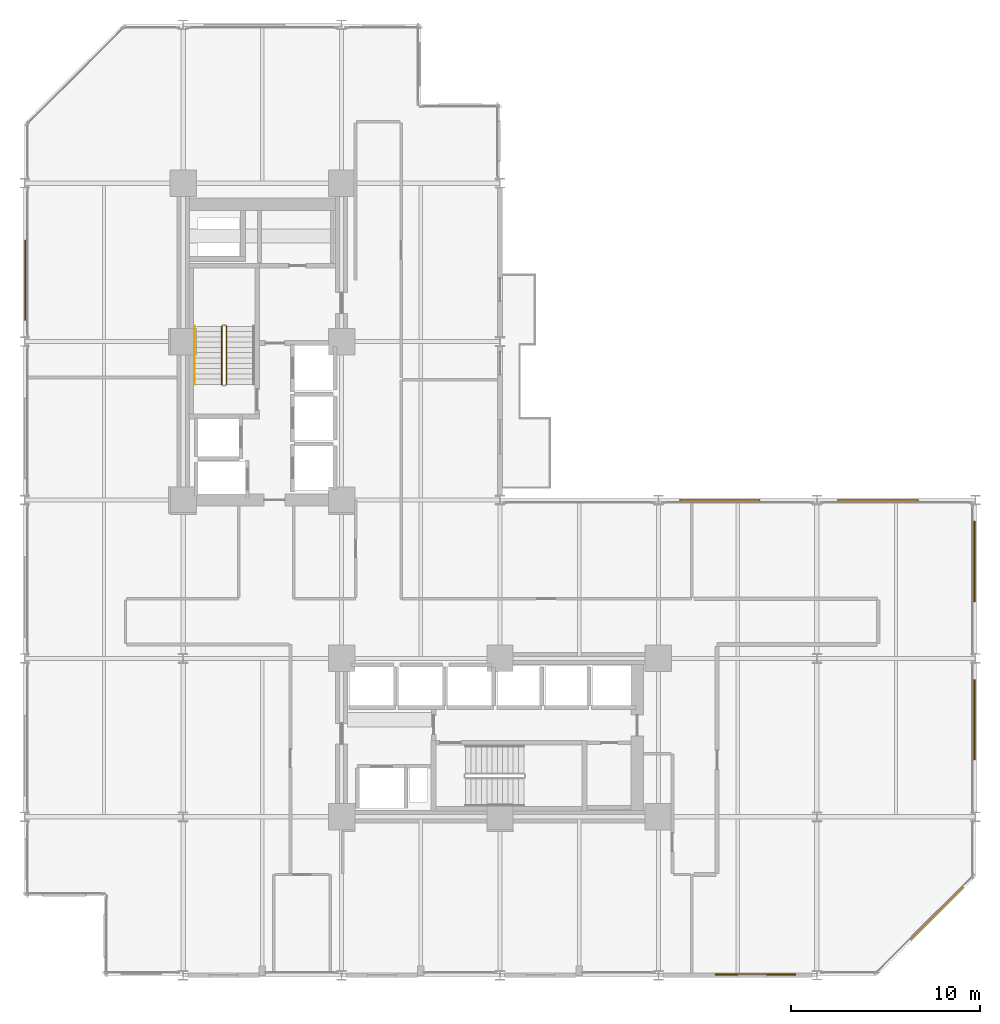
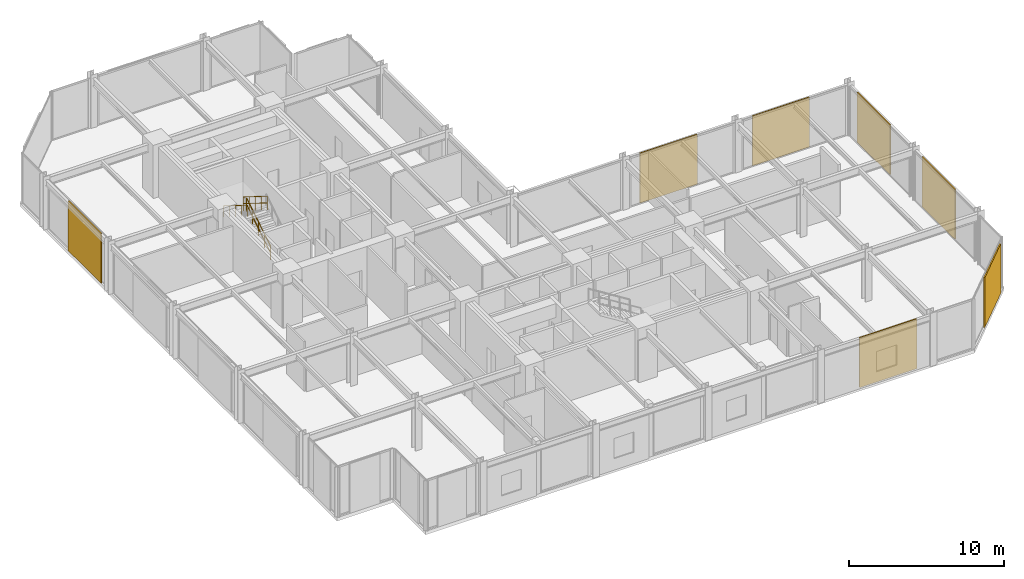
# One storey, part 23 of 24: 7 coverings, 3 railings.
"""IFC4 building model written with IfcOpenShell, lengths in metres."""

from ifc_helpers import new_model, si_unit, direction, frame, origin, origin_2d, place, context, subcontext, project, spatial, rectangle, circle, extrude, material, layer, layer_set, type_object, element, save


model = new_model("IFC4")

# Units and contexts
model_context = context("Model", 3, precision=1e-05, world=origin(), true_north=direction((0.0, 1.0)))
body_context = subcontext(model_context, "Body", "Model", "MODEL_VIEW")
ifc_project = project(units=[si_unit("LENGTHUNIT", "METRE"), si_unit("AREAUNIT", "SQUARE_METRE"), si_unit("VOLUMEUNIT", "CUBIC_METRE"), si_unit("PLANEANGLEUNIT", "RADIAN"), si_unit("MASSUNIT", "GRAM", prefix="KILO")], contexts=[model_context])

# Site, building, storey
site_placement = place(None, origin())
site = spatial("IfcSite", under=ifc_project, at=site_placement, CompositionType="ELEMENT")
building_placement = place(site_placement, origin())
building = spatial("IfcBuilding", under=site, at=building_placement, Name="Nerrivon Quay Data Exchange", CompositionType="ELEMENT")
storey_placement = place(building_placement, frame((0.0, 0.0, 33.199951171875)))
storey = spatial("IfcBuildingStorey", under=building, at=storey_placement, Name="L07", CompositionType="ELEMENT", Elevation=33.199951171875)

# Coverings
ifc_material_1 = material(Name="Architectural terracotta ceramic", Category="masonry")
ifc_layer = layer(ifc_material_1, 0.090087890625)
ifc_layer_set = layer_set([ifc_layer], Name="Architectural terracotta ceramic")
covering_type = type_object("IfcCoveringType", Name="COV-SCR-TERR", PredefinedType="CLADDING", material=ifc_layer_set)
covering_placement = place(storey_placement, frame((48.39208984375, 3.255859375, 0.0), z_axis=(0.0, 0.0, 1.0), x_axis=(-0.707106781187, -0.707106781187, 0.0)))
element("IfcCovering", 1, at=covering_placement, inside=storey, type_object=covering_type, Name="L07 Perforated Terracotta SOLAR SCREEN Cassette", PredefinedType="CLADDING", context=body_context, shape_type="SweptSolid", body=[
    extrude(rectangle(XDim=3.970947265625, YDim=0.090087890625, at=origin_2d()), origin(), (0.0, 0.0, 1.0), 3.925048828125),
])
for number, where, z_axis, x_axis, name in (
    (2, (38.748046875, 0.044921875, 0.0), (0.0, 0.0, 1.0), (-1.0, 0.0, 0.0), "L07 Perforated Terracotta SOLAR SCREEN Cassette"),
    (3, (0.044921875, 36.85205078125, 0.0), (0.0, 0.0, 1.0), (0.0, 1.0, 0.0), "L07 Perforated Terracotta SOLAR SCREEN Cassette"),
    (4, (36.85205078125, 25.155029296875, 0.0), (0.0, 0.0, 1.0), (1.0, 0.0, 0.0), "L07 Perforated Terracotta SOLAR SCREEN Cassette"),
    (5, (45.251953125, 25.155029296875, 0.0), (0.0, 0.0, 1.0), (1.0, 0.0, 0.0), "L07 Perforated Terracotta SOLAR SCREEN Cassette"),
    (6, (50.35498046875, 21.947998046875, 0.0), (0.0, 0.0, 1.0), (0.0, -1.0, 0.0), "L07 Perforated Terracotta SOLAR SCREEN Cassette"),
    (7, (50.35498046875, 13.548095703125, 0.0), (0.0, 0.0, 1.0), (0.0, -1.0, 0.0), "L07 Perforated Terracotta SOLAR SCREEN Cassette"),
):
    element("IfcCovering", number, at=place(storey_placement, frame(where, z_axis=z_axis, x_axis=x_axis)), inside=storey, type_object=covering_type, Name=name, PredefinedType="CLADDING", context=body_context, shape_type="SweptSolid", body=[
        extrude(rectangle(XDim=4.26611328125, YDim=0.090087890625, at=origin_2d()), origin(), (0.0, 0.0, 1.0), 3.925048828125),
    ])

# Railings
ifc_material_2 = material(Name="Steel Grade C350L0 (350 MPa)", Category="steel")
railing_type_1 = type_object("IfcRailingType", Name="RAIL-HAND-HR1", PredefinedType="HANDRAIL", material=ifc_material_2)
railing_1_placement = place(storey_placement, frame((9.0, 34.409912109375, 2.275146484375)))
element("IfcRailing", 8, at=railing_1_placement, inside=storey, type_object=railing_type_1, Name="L07 ST01 stair handrail 2", PredefinedType="HANDRAIL", context=body_context, shape_type="SweptSolid", body=[
    extrude(circle(Radius=0.02392578125, at=origin_2d()), frame((0.0, 0.0, 0.8759765625), z_axis=(0.0, -0.848009633417, 0.529980812513), x_axis=(1.0, 0.0, 0.0)), (0.0, 0.0, 1.0), 3.6318359375),
    extrude(circle(Radius=0.02099609375, at=origin_2d()), origin(), (0.0, 0.0, 1.0), 0.851806640625),
    extrude(circle(Radius=0.02099609375, at=origin_2d()), frame((0.0, -0.77001953125, 0.481201171875)), (0.0, 0.0, 1.0), 0.851806640625),
    extrude(circle(Radius=0.02099609375, at=origin_2d()), frame((0.0, -1.5400390625, 0.96240234375)), (0.0, 0.0, 1.0), 0.851806640625),
    extrude(circle(Radius=0.02099609375, at=origin_2d()), frame((0.0, -2.309814453125, 1.443603515625)), (0.0, 0.0, 1.0), 0.851806640625),
    extrude(circle(Radius=0.02099609375, at=origin_2d()), frame((0.0, -3.079833984375, 1.9248046875)), (0.0, 0.0, 1.0), 0.851806640625),
])
railing_type_2 = type_object("IfcRailingType", Name="RAIL-STAIR-GR1", PredefinedType="BALUSTRADE", material=ifc_material_2)
railing_2_placement = place(storey_placement, frame((10.699951171875, 31.330078125, 0.175048828125)))
element("IfcRailing", 9, at=railing_2_placement, inside=storey, type_object=railing_type_2, Name="L07 ST01 stair guard 1", PredefinedType="BALUSTRADE", context=body_context, shape_type="SweptSolid", body=[
    extrude(circle(Radius=0.02392578125, at=origin_2d()), frame((0.0, 0.0, 1.076171875), z_axis=(0.0, 0.847979421464, 0.530029150871), x_axis=(-1.0, 0.0, 0.0)), (0.0, 0.0, 1.0), 3.632080078125),
    extrude(circle(Radius=0.02392578125, at=origin_2d()), frame((0.0, 0.0, 0.550048828125), z_axis=(0.0, 0.847979421464, 0.530029150871), x_axis=(-1.0, 0.0, 0.0)), (0.0, 0.0, 1.0), 3.632080078125),
    extrude(circle(Radius=0.02099609375, at=origin_2d()), origin(), (0.0, 0.0, 1.0), 1.052001953125),
    extrude(circle(Radius=0.02099609375, at=origin_2d()), frame((0.0, 0.77001953125, 0.481201171875)), (0.0, 0.0, 1.0), 1.052001953125),
    extrude(circle(Radius=0.02099609375, at=origin_2d()), frame((0.0, 1.5400390625, 0.96240234375)), (0.0, 0.0, 1.0), 1.052001953125),
    extrude(circle(Radius=0.02099609375, at=origin_2d()), frame((0.0, 2.309814453125, 1.44384765625)), (0.0, 0.0, 1.0), 1.052001953125),
    extrude(circle(Radius=0.02099609375, at=origin_2d()), frame((0.0, 3.079833984375, 1.925048828125)), (0.0, 0.0, 1.0), 1.052001953125),
])
railing_3_placement = place(storey_placement, frame((10.449951171875, 34.409912109375, 2.275146484375)))
element("IfcRailing", 10, at=railing_3_placement, inside=storey, type_object=railing_type_2, Name="L07 ST01 stair guard 3", PredefinedType="BALUSTRADE", context=body_context, shape_type="SweptSolid", body=[
    extrude(circle(Radius=0.02392578125, at=origin_2d()), frame((0.0, 0.0, 1.076171875), z_axis=(0.0, -0.848009633417, 0.529980812513), x_axis=(1.0, 0.0, 0.0)), (0.0, 0.0, 1.0), 3.6318359375),
    extrude(circle(Radius=0.02392578125, at=origin_2d()), frame((0.0, 0.0, 0.550048828125), z_axis=(0.0, -0.848009633417, 0.529980812513), x_axis=(1.0, 0.0, 0.0)), (0.0, 0.0, 1.0), 3.6318359375),
    extrude(circle(Radius=0.02099609375, at=origin_2d()), origin(), (0.0, 0.0, 1.0), 1.052001953125),
    extrude(circle(Radius=0.02099609375, at=origin_2d()), frame((0.0, -0.77001953125, 0.481201171875)), (0.0, 0.0, 1.0), 1.052001953125),
    extrude(circle(Radius=0.02099609375, at=origin_2d()), frame((0.0, -1.5400390625, 0.96240234375)), (0.0, 0.0, 1.0), 1.052001953125),
    extrude(circle(Radius=0.02099609375, at=origin_2d()), frame((0.0, -2.309814453125, 1.443603515625)), (0.0, 0.0, 1.0), 1.052001953125),
    extrude(circle(Radius=0.02099609375, at=origin_2d()), frame((0.0, -3.079833984375, 1.9248046875)), (0.0, 0.0, 1.0), 1.052001953125),
])

save(model, "model.ifc")
